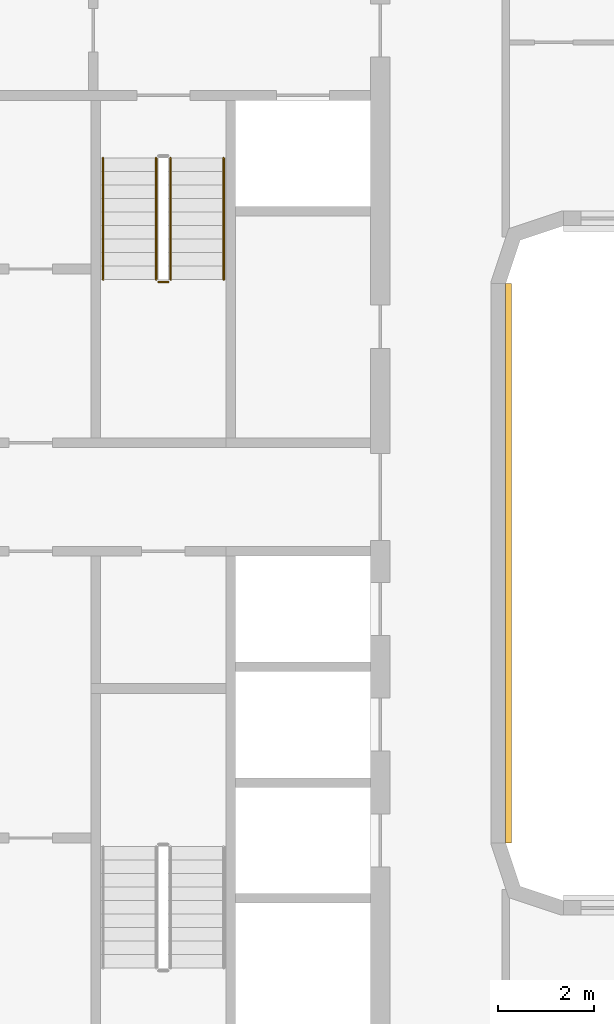
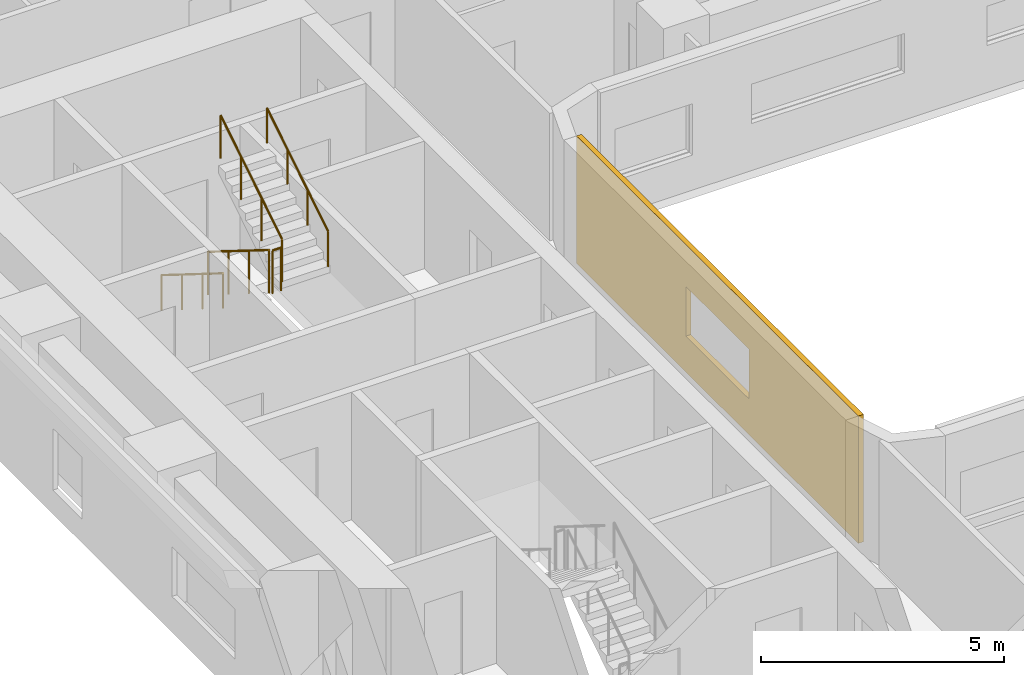
# One storey, part 15 of 22: 5 railings, 1 covering.
"""IFC4 building model written with IfcOpenShell, lengths in metres."""

from ifc_helpers import new_model, si_unit, direction, frame, origin, origin_2d, place, context, subcontext, project, spatial, polyline, circle, outline, extrude, material, layer, layer_set, type_object, element, save


model = new_model("IFC4")

# Units and contexts
model_context = context("Model", 3, precision=1e-05, world=origin(), true_north=direction((0.0, 1.0)))
body_context = subcontext(model_context, "Body", "Model", "MODEL_VIEW")
ifc_project = project(units=[si_unit("LENGTHUNIT", "METRE"), si_unit("AREAUNIT", "SQUARE_METRE"), si_unit("VOLUMEUNIT", "CUBIC_METRE"), si_unit("PLANEANGLEUNIT", "RADIAN"), si_unit("MASSUNIT", "GRAM", prefix="KILO")], contexts=[model_context])

# Site, building, storey
site_placement = place(None, origin())
site = spatial("IfcSite", under=ifc_project, at=site_placement, CompositionType="ELEMENT")
building_placement = place(site_placement, origin())
building = spatial("IfcBuilding", under=site, at=building_placement, Name="Kiln Ring Residences", CompositionType="ELEMENT")
storey_placement = place(building_placement, frame((0.0, 0.0, 58.5)))
storey = spatial("IfcBuildingStorey", under=building, at=storey_placement, Name="L14", CompositionType="ELEMENT", Elevation=58.5)

# Railings
ifc_material_1 = material(Name="Stainless steel", Category="steel")
railing_type_1 = type_object("IfcRailingType", Name="CORE-STAIR-GUARD", PredefinedType="GUARDRAIL", material=ifc_material_1)
railing_1_placement = place(storey_placement, frame((-22.25, 8.39990234375, 0.175048828125)))
element("IfcRailing", 1, at=railing_1_placement, inside=storey, type_object=railing_type_1, Name="L14 W-STN stair guard 1", PredefinedType="GUARDRAIL", context=body_context, shape_type="SweptSolid", body=[
    extrude(circle(Radius=0.02392578125, at=origin_2d()), frame((0.0, 0.0, 1.076171875), z_axis=(0.0, -0.848007534815, 0.529984170421), x_axis=(1.0, 0.0, 0.0)), (0.0, 0.0, 1.0), 2.9716796875),
    extrude(circle(Radius=0.02099609375, at=origin_2d()), origin(), (0.0, 0.0, 1.0), 1.052001953125),
    extrude(circle(Radius=0.02099609375, at=origin_2d()), frame((0.0, -0.840087890625, 0.52490234375)), (0.0, 0.0, 1.0), 1.052001953125),
    extrude(circle(Radius=0.02099609375, at=origin_2d()), frame((0.0, -1.679931640625, 1.050048828125)), (0.0, 0.0, 1.0), 1.052001953125),
    extrude(circle(Radius=0.02099609375, at=origin_2d()), frame((0.0, -2.52001953125, 1.574951171875)), (0.0, 0.0, 1.0), 1.052001953125),
])
railing_2_placement = place(storey_placement, frame((-22.199951171875, 5.830078125, 1.75)))
element("IfcRailing", 2, at=railing_2_placement, inside=storey, type_object=railing_type_1, Name="L14 W-STN stair guard 2", PredefinedType="GUARDRAIL", context=body_context, shape_type="SweptSolid", body=[
    extrude(circle(Radius=0.02392578125, at=origin_2d()), frame((0.0, 0.0, 1.076171875), z_axis=(1.0, 0.0, 0.0), x_axis=(0.0, 1.0, 0.0)), (0.0, 0.0, 1.0), 0.199951171875),
    extrude(circle(Radius=0.02099609375, at=origin_2d()), origin(), (0.0, 0.0, 1.0), 1.052001953125),
    extrude(circle(Radius=0.02099609375, at=origin_2d()), frame((0.199951171875, 0.0, 0.0)), (0.0, 0.0, 1.0), 1.052001953125),
])
railing_3_placement = place(storey_placement, frame((-21.949951171875, 5.8798828125, 1.925048828125)))
element("IfcRailing", 3, at=railing_3_placement, inside=storey, type_object=railing_type_1, Name="L14 W-STN stair guard 3", PredefinedType="GUARDRAIL", context=body_context, shape_type="SweptSolid", body=[
    extrude(circle(Radius=0.02392578125, at=origin_2d()), frame((0.0, 0.0, 1.076171875), z_axis=(0.0, 0.848007534815, 0.529984170421), x_axis=(-1.0, 0.0, 0.0)), (0.0, 0.0, 1.0), 2.9716796875),
    extrude(circle(Radius=0.02099609375, at=origin_2d()), origin(), (0.0, 0.0, 1.0), 1.052001953125),
    extrude(circle(Radius=0.02099609375, at=origin_2d()), frame((0.0, 0.840087890625, 0.52490234375)), (0.0, 0.0, 1.0), 1.052001953125),
    extrude(circle(Radius=0.02099609375, at=origin_2d()), frame((0.0, 1.679931640625, 1.050048828125)), (0.0, 0.0, 1.0), 1.052001953125),
    extrude(circle(Radius=0.02099609375, at=origin_2d()), frame((0.0, 2.52001953125, 1.574951171875)), (0.0, 0.0, 1.0), 1.052001953125),
])
ifc_material_2 = material(Name="Stainless steel", Category="steel")
railing_type_2 = type_object("IfcRailingType", Name="CORE-STAIR-HANDRAIL", PredefinedType="HANDRAIL", material=ifc_material_2)
railing_4_placement = place(storey_placement, frame((-23.35009765625, 8.39990234375, 0.175048828125)))
element("IfcRailing", 4, at=railing_4_placement, inside=storey, type_object=railing_type_2, Name="L14 W-STN stair handrail 1", PredefinedType="HANDRAIL", context=body_context, shape_type="SweptSolid", body=[
    extrude(circle(Radius=0.02392578125, at=origin_2d()), frame((0.0, 0.0, 0.8759765625), z_axis=(0.0, -0.848007534815, 0.529984170421), x_axis=(1.0, 0.0, 0.0)), (0.0, 0.0, 1.0), 2.9716796875),
    extrude(circle(Radius=0.02099609375, at=origin_2d()), origin(), (0.0, 0.0, 1.0), 0.851806640625),
    extrude(circle(Radius=0.02099609375, at=origin_2d()), frame((0.0, -0.840087890625, 0.52490234375)), (0.0, 0.0, 1.0), 0.851806640625),
    extrude(circle(Radius=0.02099609375, at=origin_2d()), frame((0.0, -1.679931640625, 1.050048828125)), (0.0, 0.0, 1.0), 0.851806640625),
    extrude(circle(Radius=0.02099609375, at=origin_2d()), frame((0.0, -2.52001953125, 1.574951171875)), (0.0, 0.0, 1.0), 0.851806640625),
])
railing_5_placement = place(storey_placement, frame((-20.85009765625, 5.8798828125, 1.925048828125)))
element("IfcRailing", 5, at=railing_5_placement, inside=storey, type_object=railing_type_2, Name="L14 W-STN stair handrail 2", PredefinedType="HANDRAIL", context=body_context, shape_type="SweptSolid", body=[
    extrude(circle(Radius=0.02392578125, at=origin_2d()), frame((0.0, 0.0, 0.8759765625), z_axis=(0.0, 0.848007534815, 0.529984170421), x_axis=(-1.0, 0.0, 0.0)), (0.0, 0.0, 1.0), 2.9716796875),
    extrude(circle(Radius=0.02099609375, at=origin_2d()), origin(), (0.0, 0.0, 1.0), 0.851806640625),
    extrude(circle(Radius=0.02099609375, at=origin_2d()), frame((0.0, 0.840087890625, 0.52490234375)), (0.0, 0.0, 1.0), 0.851806640625),
    extrude(circle(Radius=0.02099609375, at=origin_2d()), frame((0.0, 1.679931640625, 1.050048828125)), (0.0, 0.0, 1.0), 0.851806640625),
    extrude(circle(Radius=0.02099609375, at=origin_2d()), frame((0.0, 2.52001953125, 1.574951171875)), (0.0, 0.0, 1.0), 0.851806640625),
])

# Covering
ifc_material_3 = material(Name="Brick masonry, dark clay brick", Category="masonry")
ifc_layer = layer(ifc_material_3, 0.1201171875)
ifc_layer_set = layer_set([ifc_layer], Name="RAINSCREEN PANEL 120")
covering_type = type_object("IfcCoveringType", Name="RAINSCREEN PANEL 120", PredefinedType="CLADDING", material=ifc_layer_set)
covering_placement = place(storey_placement, frame((-14.93994140625, -5.800048828125, 0.0), z_axis=(0.0, 0.0, 1.0), x_axis=(0.0, 1.0, 0.0)))
element("IfcCovering", 6, at=covering_placement, inside=storey, type_object=covering_type, Name="RAINSCREEN L14", PredefinedType="CLADDING", context=body_context, shape_type="SweptSolid", body=[
    extrude(outline(polyline([(0.0, 0.0), (11.60009765625, 0.0), (11.60009765625, 3.199951171875), (0.0, 3.199951171875), (0.0, 0.0)]), holes=[polyline([(4.5, 2.14990234375), (4.5, 0.89990234375), (7.10009765625, 0.89990234375), (7.10009765625, 2.14990234375), (4.5, 2.14990234375)])]), frame((0.0, 0.06005859375, 0.0), z_axis=(0.0, -1.0, 0.0), x_axis=(1.0, 0.0, 0.0)), (0.0, 0.0, 1.0), 0.1201171875),
])

save(model, "model.ifc")
